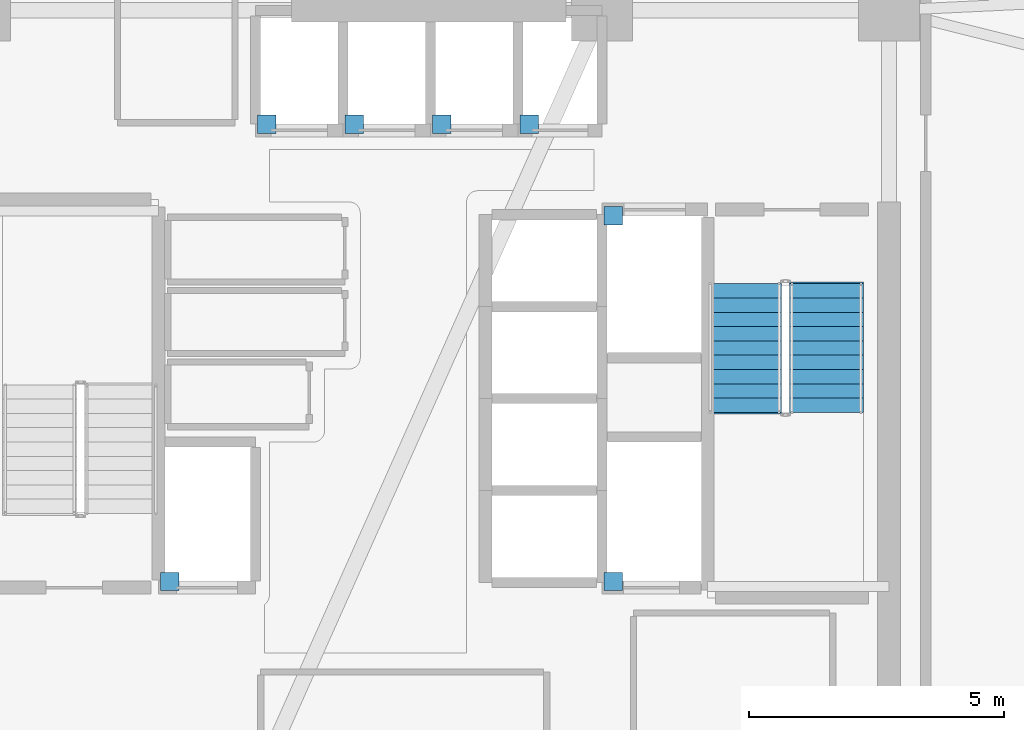
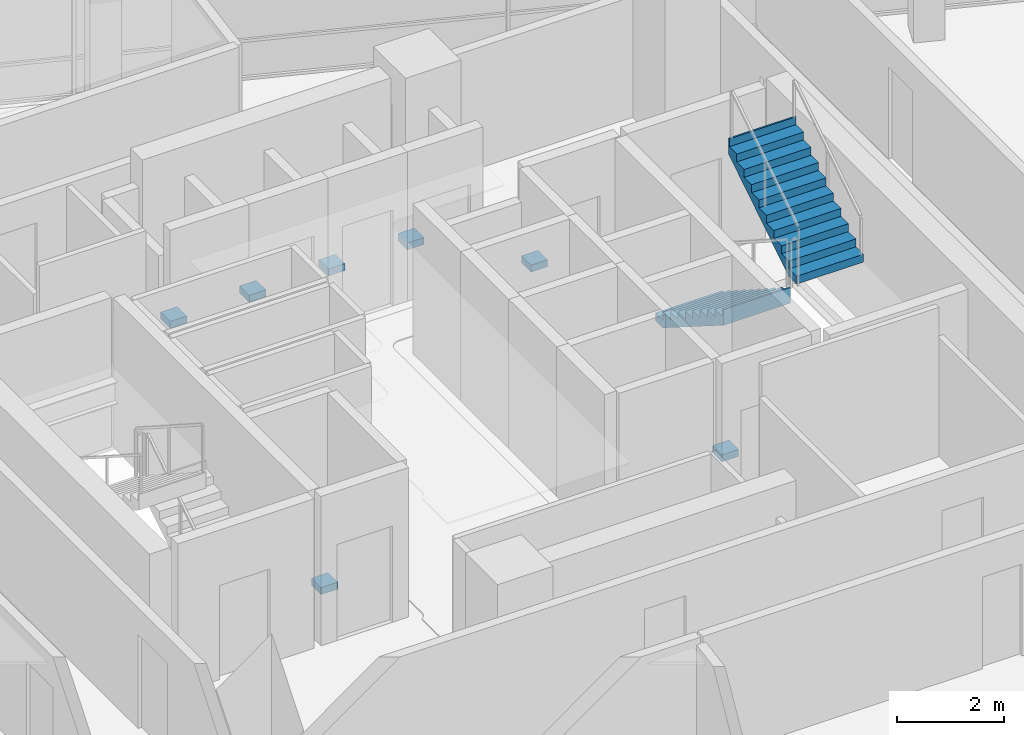
# One storey, part 12 of 17: 7 discrete accessories, 2 stair flights, 1 element without a shape of its own.
"""IFC4 building model written with IfcOpenShell, lengths in metres."""

from ifc_helpers import new_model, si_unit, direction, frame, origin, origin_2d, place, context, subcontext, project, spatial, polyline, rectangle, outline, extrude, material, type_object, element, aggregate, save


model = new_model("IFC4")

# Units and contexts
model_context = context("Model", 3, precision=1e-05, world=origin(), true_north=direction((0.0, 1.0)))
body_context = subcontext(model_context, "Body", "Model", "MODEL_VIEW")
ifc_project = project(units=[si_unit("LENGTHUNIT", "METRE"), si_unit("AREAUNIT", "SQUARE_METRE"), si_unit("VOLUMEUNIT", "CUBIC_METRE"), si_unit("PLANEANGLEUNIT", "RADIAN"), si_unit("MASSUNIT", "GRAM", prefix="KILO")], contexts=[model_context])

# Site, building, storey
site_placement = place(None, origin())
site = spatial("IfcSite", under=ifc_project, at=site_placement, CompositionType="ELEMENT")
building_placement = place(site_placement, origin())
building = spatial("IfcBuilding", under=site, at=building_placement, Name="Tharavind Bronze Gate", CompositionType="ELEMENT")
storey_placement = place(building_placement, frame((0.0, 0.0, 184.89990234375)))
storey = spatial("IfcBuildingStorey", under=building, at=storey_placement, Name="L47", CompositionType="ELEMENT", Elevation=184.89990234375)

# Stair, stair flights
ifc_material_1 = material(Name="Concrete C40/50", Category="concrete")
stair_type = type_object("IfcStairType", Name="CORE HALF TURN STAIR 1450", PredefinedType="HALF_TURN_STAIR", material=ifc_material_1)
stair_placement = place(storey_placement, origin())
stair = element("IfcStair", 1, at=stair_placement, inside=storey, type_object=stair_type, Name="L47 Protected Exit Stair ST2", PredefinedType="HALF_TURN_STAIR")
stair_flight_type = type_object("IfcStairFlightType", Name="CORE STAIR FLIGHT 1450", PredefinedType="STRAIGHT", material=ifc_material_1)
stair_flight_1_placement = place(storey_placement, frame((6.074951171875, 2.25, 0.0), z_axis=(0.0, 0.0, 1.0), x_axis=(0.0, -1.0, 0.0)))
stair_flight_1 = element("IfcStairFlight", 2, at=stair_flight_1_placement, type_object=stair_flight_type, Name="ST2 flight 1", NumberOfRisers=10, NumberOfTreads=9, PredefinedType="STRAIGHT", RiserHeight=0.18, TreadLength=0.28, context=body_context, shape_type="SweptSolid", body=[
    extrude(outline(polyline([(0.0, 0.0), (0.0, 0.179931640625), (0.280029296875, 0.179931640625), (0.280029296875, 0.360107421875), (0.56005859375, 0.360107421875), (0.56005859375, 0.5400390625), (0.840087890625, 0.5400390625), (0.840087890625, 0.719970703125), (1.1201171875, 0.719970703125), (1.1201171875, 0.89990234375), (1.39990234375, 0.89990234375), (1.39990234375, 1.080078125), (1.679931640625, 1.080078125), (1.679931640625, 1.260009765625), (1.9599609375, 1.260009765625), (1.9599609375, 1.43994140625), (2.239990234375, 1.43994140625), (2.239990234375, 1.6201171875), (2.52001953125, 1.6201171875), (2.52001953125, 1.800048828125), (2.555908203125, 1.800048828125), (2.555908203125, 1.44189453125), (0.277099609375, 0.0), (0.0, 0.0)])), frame((0.0, 0.72509765625, 0.0), z_axis=(0.0, -1.0, 0.0), x_axis=(1.0, 0.0, 0.0)), (0.0, 0.0, 1.0), 1.449951171875),
])
stair_flight_2_placement = place(storey_placement, frame((7.675048828125, -0.27001953125, 1.800048828125), z_axis=(0.0, 0.0, 1.0), x_axis=(0.0, 1.0, 0.0)))
stair_flight_2 = element("IfcStairFlight", 3, at=stair_flight_2_placement, type_object=stair_flight_type, Name="ST2 flight 2", NumberOfRisers=10, NumberOfTreads=9, PredefinedType="STRAIGHT", RiserHeight=0.18, TreadLength=0.28, context=body_context, shape_type="SweptSolid", body=[
    extrude(outline(polyline([(0.0, 0.0), (0.0, 0.179931640625), (0.280029296875, 0.179931640625), (0.280029296875, 0.360107421875), (0.56005859375, 0.360107421875), (0.56005859375, 0.5400390625), (0.840087890625, 0.5400390625), (0.840087890625, 0.719970703125), (1.1201171875, 0.719970703125), (1.1201171875, 0.89990234375), (1.39990234375, 0.89990234375), (1.39990234375, 1.080078125), (1.679931640625, 1.080078125), (1.679931640625, 1.260009765625), (1.9599609375, 1.260009765625), (1.9599609375, 1.43994140625), (2.239990234375, 1.43994140625), (2.239990234375, 1.6201171875), (2.52001953125, 1.6201171875), (2.52001953125, 1.800048828125), (2.555908203125, 1.800048828125), (2.555908203125, 1.44189453125), (0.277099609375, 0.0), (0.0, 0.0)])), frame((0.0, 0.72509765625, 0.0), z_axis=(0.0, -1.0, 0.0), x_axis=(1.0, 0.0, 0.0)), (0.0, 0.0, 1.0), 1.449951171875),
])
aggregate(stair, [stair_flight_1, stair_flight_2])

# Discrete accessories
ifc_material_2 = material(Name="Galvanised Steel S355", Category="steel")
discrete_accessory_type = type_object("IfcDiscreteAccessoryType", Name="LIFT GUIDE RAIL BRACKET", PredefinedType="BRACKET", material=ifc_material_2)
for number, where, z_axis, x_axis, name in (
    (4, (-3.280029296875, 5.3701171875, 1.1201171875), (0.0, 0.0, 1.0), (1.0, 0.0, 0.0), "Lift PL5 guide rail bracket at L47"),
    (5, (-1.5673828125, 5.3701171875, 1.1201171875), (0.0, 0.0, 1.0), (1.0, 0.0, 0.0), "Lift PL6 guide rail bracket at L47"),
    (6, (0.14501953125, 5.3701171875, 1.1201171875), (0.0, 0.0, 1.0), (1.0, 0.0, 0.0), "Lift PL7 guide rail bracket at L47"),
    (7, (1.857421875, 5.3701171875, 1.1201171875), (0.0, 0.0, 1.0), (1.0, 0.0, 0.0), "Lift PL8 guide rail bracket at L47"),
    (8, (-5.179931640625, -3.580078125, 1.1201171875), (0.0, 0.0, 1.0), (1.0, 0.0, 0.0), "Lift FFL1 guide rail bracket at L47"),
    (9, (3.5, 3.580078125, 1.1201171875), (0.0, 0.0, 1.0), (1.0, 0.0, 0.0), "Lift FFL2 guide rail bracket at L47"),
    (10, (3.5, -3.580078125, 1.1201171875), (0.0, 0.0, 1.0), (1.0, 0.0, 0.0), "Lift SVL1 guide rail bracket at L47"),
):
    element("IfcDiscreteAccessory", number, at=place(storey_placement, frame(where, z_axis=z_axis, x_axis=x_axis)), inside=storey, type_object=discrete_accessory_type, Name=name, PredefinedType="BRACKET", context=body_context, shape_type="SweptSolid", body=[
        extrude(rectangle(XDim=0.360107421875, YDim=0.360107421875, at=origin_2d()), origin(), (0.0, 0.0, 1.0), 0.159912109375),
    ])

save(model, "model.ifc")
